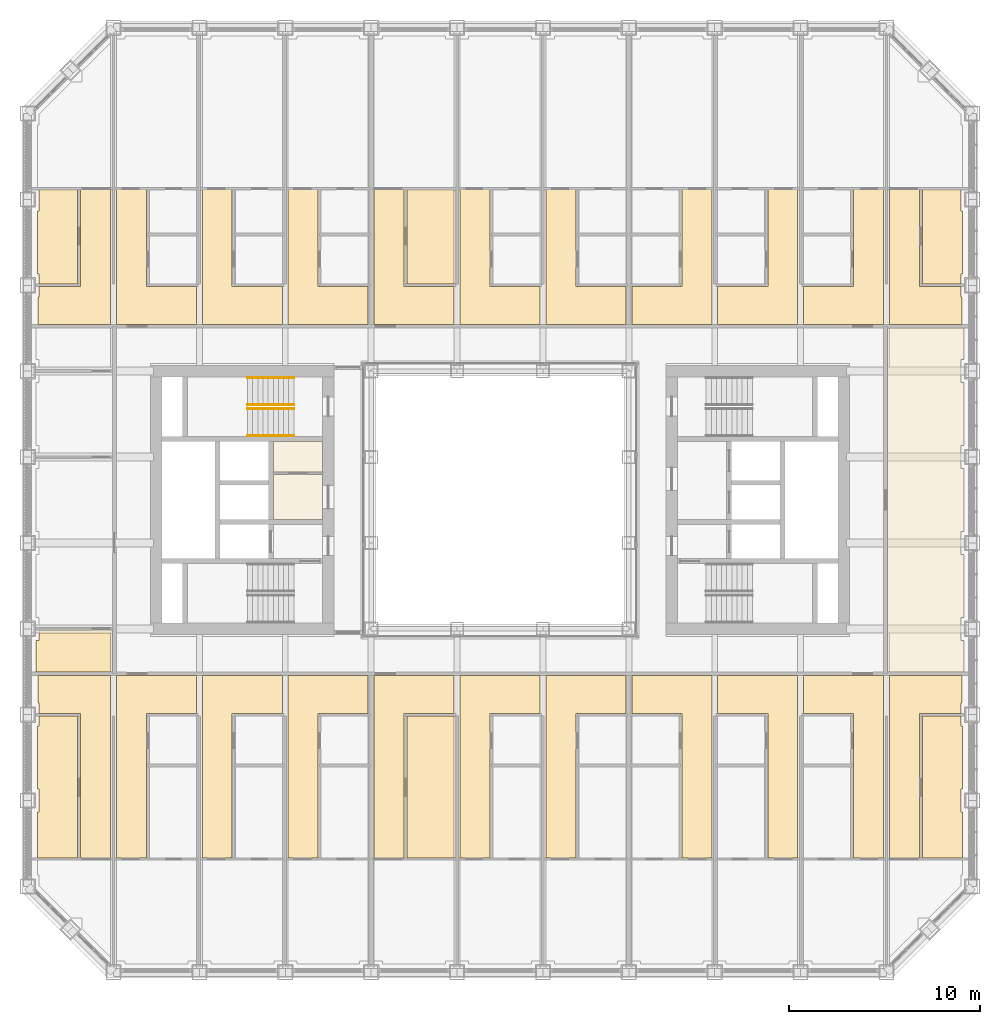
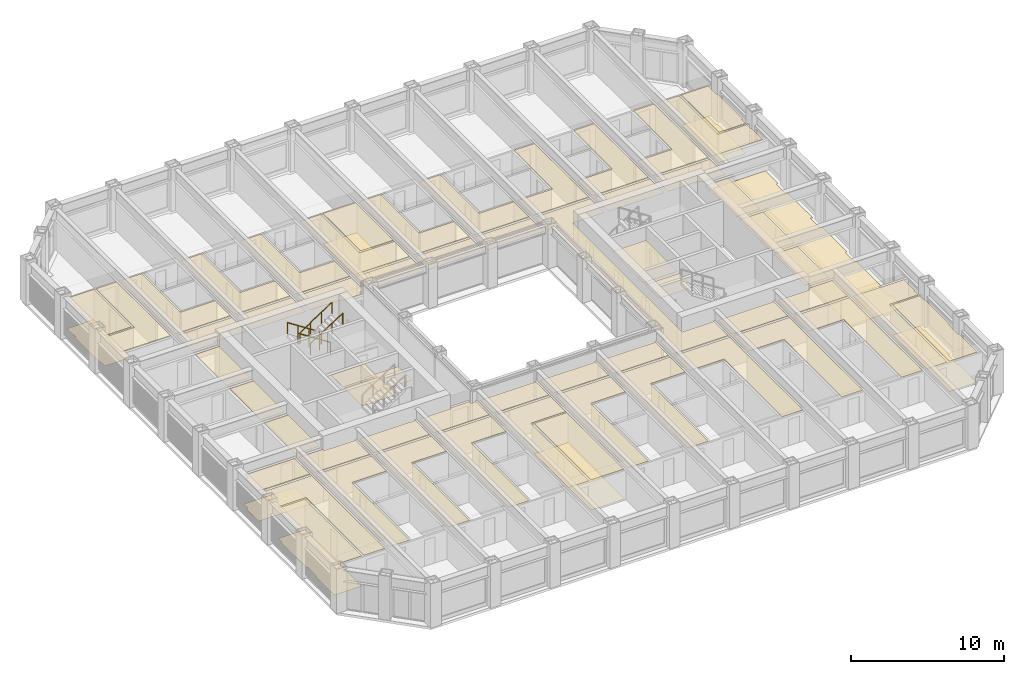
# One storey, part 18 of 21: 4 railings, 3 coverings.
"""IFC4 building model written with IfcOpenShell, lengths in metres."""

from ifc_helpers import new_model, si_unit, direction, frame, origin, origin_2d, place, context, subcontext, project, spatial, line, indexed_curve, circle, outline, extrude, material, layer, layer_set, type_object, element, save


model = new_model("IFC4")

# Units and contexts
model_context = context("Model", 3, precision=1e-05, world=origin(), true_north=direction((0.0, 1.0)))
body_context = subcontext(model_context, "Body", "Model", "MODEL_VIEW")
ifc_project = project(units=[si_unit("LENGTHUNIT", "METRE"), si_unit("AREAUNIT", "SQUARE_METRE"), si_unit("VOLUMEUNIT", "CUBIC_METRE"), si_unit("PLANEANGLEUNIT", "RADIAN"), si_unit("MASSUNIT", "GRAM", prefix="KILO")], contexts=[model_context])

# Site, building, storey
site_placement = place(None, origin())
site = spatial("IfcSite", under=ifc_project, at=site_placement, CompositionType="ELEMENT")
building_placement = place(site_placement, origin())
building = spatial("IfcBuilding", under=site, at=building_placement, Name="Msasa Ring Tower", CompositionType="ELEMENT")
storey_placement = place(building_placement, frame((0.0, 0.0, 96.5)))
storey = spatial("IfcBuildingStorey", under=building, at=storey_placement, Name="L25", CompositionType="ELEMENT", Elevation=96.5)

# Coverings
ifc_material_1 = material(Name="Gypsum plasterboard on a steel suspension grid", Category="steel")
ifc_layer_1 = layer(ifc_material_1, 0.014892578125)
ifc_layer_set_1 = layer_set([ifc_layer_1], Name="C1 SUSPENDED PLASTERBOARD CEILING 15")
covering_type_1 = type_object("IfcCoveringType", Name="C1 SUSPENDED PLASTERBOARD CEILING 15", PredefinedType="CEILING", material=ifc_layer_set_1)
covering_1_placement = place(storey_placement, frame((0.0, 0.0, 2.39990234375)))
element("IfcCovering", 1, at=covering_1_placement, inside=storey, type_object=covering_type_1, Name="Suspended Plasterboard Ceiling 15 circulation L25", PredefinedType="CEILING", context=body_context, shape_type="SweptSolid", body=[
    extrude(outline(indexed_curve([(-21.969482421875, -18.757080078125), (-21.969482421875, -11.18701171875), (-24.1494140625, -11.18701171875), (-24.1494140625, -10.6494140625), (-24.199462890625, -10.6494140625), (-24.199462890625, -9.200439453125), (-20.404296875, -9.200439453125), (-20.404296875, -18.757080078125)], segments=[line(1, 2, 3, 4, 5, 6, 7, 8, 1)], self_intersect=False)), origin(), (0.0, 0.0, 1.0), 0.01513671875),
    extrude(outline(indexed_curve([(-24.199462890625, 9.200439453125), (-24.199462890625, 10.6494140625), (-24.1494140625, 10.6494140625), (-24.1494140625, 11.18701171875), (-21.969482421875, 11.18701171875), (-21.969482421875, 16.257080078125), (-20.404296875, 16.257080078125), (-20.404296875, 9.200439453125)], segments=[line(1, 2, 3, 4, 5, 6, 7, 8, 1)], self_intersect=False)), origin(), (0.0, 0.0, 1.0), 0.01513671875),
    extrude(outline(indexed_curve([(-20.099609375, -2.460693359375), (-18.300537109375, -2.460693359375), (-18.300537109375, -6.539306640625), (-20.099609375, -6.539306640625)], segments=[line(1, 2, 3, 4, 1)], self_intersect=False)), origin(), (0.0, 0.0, 1.0), 0.01513671875),
    extrude(outline(indexed_curve([(-20.099609375, 2.039306640625), (-18.300537109375, 2.039306640625), (-18.300537109375, -2.039306640625), (-20.099609375, -2.039306640625)], segments=[line(1, 2, 3, 4, 1)], self_intersect=False)), origin(), (0.0, 0.0, 1.0), 0.01513671875),
    extrude(outline(indexed_curve([(-20.099609375, 6.539306640625), (-18.300537109375, 6.539306640625), (-18.300537109375, 2.460693359375), (-20.099609375, 2.460693359375)], segments=[line(1, 2, 3, 4, 1)], self_intersect=False)), origin(), (0.0, 0.0, 1.0), 0.01513671875),
    extrude(outline(indexed_curve([(-18.530517578125, -11.18701171875), (-18.530517578125, -18.757080078125), (-20.095703125, -18.757080078125), (-20.095703125, -9.200439453125), (-15.904296875, -9.200439453125), (-15.904296875, -11.18701171875)], segments=[line(1, 2, 3, 4, 5, 6, 1)], self_intersect=False)), origin(), (0.0, 0.0, 1.0), 0.01513671875),
    extrude(outline(indexed_curve([(-20.095703125, -8.99951171875), (-20.095703125, -6.960693359375), (-18.300537109375, -6.960693359375), (-18.300537109375, -7.150390625), (-15.904296875, -7.150390625), (-15.904296875, -8.99951171875)], segments=[line(1, 2, 3, 4, 5, 6, 1)], self_intersect=False)), origin(), (0.0, 0.0, 1.0), 0.01513671875),
    extrude(outline(indexed_curve([(-15.904296875, 8.99951171875), (-15.904296875, 7.150390625), (-18.300537109375, 7.150390625), (-18.300537109375, 6.960693359375), (-20.095703125, 6.960693359375), (-20.095703125, 8.99951171875)], segments=[line(1, 2, 3, 4, 5, 6, 1)], self_intersect=False)), origin(), (0.0, 0.0, 1.0), 0.01513671875),
    extrude(outline(indexed_curve([(-18.530517578125, 16.257080078125), (-18.530517578125, 11.18701171875), (-15.904296875, 11.18701171875), (-15.904296875, 9.200439453125), (-20.095703125, 9.200439453125), (-20.095703125, 16.257080078125)], segments=[line(1, 2, 3, 4, 5, 6, 1)], self_intersect=False)), origin(), (0.0, 0.0, 1.0), 0.01513671875),
    extrude(outline(indexed_curve([(-14.030517578125, -11.18701171875), (-14.030517578125, -18.757080078125), (-15.595703125, -18.757080078125), (-15.595703125, -9.200439453125), (-11.404296875, -9.200439453125), (-11.404296875, -11.18701171875)], segments=[line(1, 2, 3, 4, 5, 6, 1)], self_intersect=False)), origin(), (0.0, 0.0, 1.0), 0.01513671875),
    extrude(outline(indexed_curve([(-15.595703125, -8.99951171875), (-15.595703125, -7.150390625), (-11.404296875, -7.150390625), (-11.404296875, -8.99951171875)], segments=[line(1, 2, 3, 4, 1)], self_intersect=False)), origin(), (0.0, 0.0, 1.0), 0.01513671875),
    extrude(outline(indexed_curve([(-11.404296875, 8.99951171875), (-11.404296875, 7.150390625), (-15.595703125, 7.150390625), (-15.595703125, 8.99951171875)], segments=[line(1, 2, 3, 4, 1)], self_intersect=False)), origin(), (0.0, 0.0, 1.0), 0.01513671875),
    extrude(outline(indexed_curve([(-14.030517578125, 16.257080078125), (-14.030517578125, 11.18701171875), (-11.404296875, 11.18701171875), (-11.404296875, 9.200439453125), (-15.595703125, 9.200439453125), (-15.595703125, 16.257080078125)], segments=[line(1, 2, 3, 4, 5, 6, 1)], self_intersect=False)), origin(), (0.0, 0.0, 1.0), 0.01513671875),
    extrude(outline(indexed_curve([(-11.87451171875, -1.275390625), (-9.300537109375, -1.275390625), (-9.300537109375, -3.074462890625), (-11.87451171875, -3.074462890625)], segments=[line(1, 2, 3, 4, 1)], self_intersect=False)), origin(), (0.0, 0.0, 1.0), 0.01513671875),
    extrude(outline(indexed_curve([(-6.904296875, -9.200439453125), (-6.904296875, -11.18701171875), (-9.530517578125, -11.18701171875), (-9.530517578125, -18.757080078125), (-11.095703125, -18.757080078125), (-11.095703125, -9.200439453125)], segments=[line(1, 2, 3, 4, 5, 6, 1)], self_intersect=False)), origin(), (0.0, 0.0, 1.0), 0.01513671875),
    extrude(outline(indexed_curve([(-11.095703125, -8.99951171875), (-11.095703125, -7.150390625), (-8.699462890625, -7.150390625), (-8.699462890625, -7.050537109375), (-7.280029296875, -7.050537109375), (-7.275390625, -7.275390625), (-6.904296875, -7.280029296875), (-6.904296875, -8.99951171875)], segments=[line(1, 2, 3, 4, 5, 6, 7, 8, 1)], self_intersect=False)), origin(), (0.0, 0.0, 1.0), 0.01513671875),
    extrude(outline(indexed_curve([(-6.904296875, 8.99951171875), (-6.904296875, 7.280029296875), (-7.275390625, 7.275390625), (-7.280029296875, 7.050537109375), (-8.699462890625, 7.050537109375), (-8.699462890625, 7.150390625), (-11.095703125, 7.150390625), (-11.095703125, 8.99951171875)], segments=[line(1, 2, 3, 4, 5, 6, 7, 8, 1)], self_intersect=False)), origin(), (0.0, 0.0, 1.0), 0.01513671875),
    extrude(outline(indexed_curve([(-9.530517578125, 16.257080078125), (-9.530517578125, 11.18701171875), (-6.904296875, 11.18701171875), (-6.904296875, 9.200439453125), (-11.095703125, 9.200439453125), (-11.095703125, 16.257080078125)], segments=[line(1, 2, 3, 4, 5, 6, 1)], self_intersect=False)), origin(), (0.0, 0.0, 1.0), 0.01513671875),
    extrude(outline(indexed_curve([(-5.030517578125, -11.18701171875), (-5.030517578125, -18.757080078125), (-6.595703125, -18.757080078125), (-6.595703125, -9.200439453125), (-2.404296875, -9.200439453125), (-2.404296875, -11.18701171875)], segments=[line(1, 2, 3, 4, 5, 6, 1)], self_intersect=False)), origin(), (0.0, 0.0, 1.0), 0.01513671875),
    extrude(outline(indexed_curve([(-6.595703125, -8.99951171875), (-6.595703125, -7.280029296875), (-2.404296875, -7.280029296875), (-2.404296875, -8.99951171875)], segments=[line(1, 2, 3, 4, 1)], self_intersect=False)), origin(), (0.0, 0.0, 1.0), 0.01513671875),
    extrude(outline(indexed_curve([(-2.404296875, 8.99951171875), (-2.404296875, 7.280029296875), (-6.595703125, 7.280029296875), (-6.595703125, 8.99951171875)], segments=[line(1, 2, 3, 4, 1)], self_intersect=False)), origin(), (0.0, 0.0, 1.0), 0.01513671875),
    extrude(outline(indexed_curve([(-2.404296875, 11.18701171875), (-2.404296875, 9.200439453125), (-6.595703125, 9.200439453125), (-6.595703125, 16.257080078125), (-5.030517578125, 16.257080078125), (-5.030517578125, 11.18701171875)], segments=[line(1, 2, 3, 4, 5, 6, 1)], self_intersect=False)), origin(), (0.0, 0.0, 1.0), 0.01513671875),
    extrude(outline(indexed_curve([(-0.530517578125, -11.18701171875), (-0.530517578125, -18.757080078125), (-2.095703125, -18.757080078125), (-2.095703125, -9.200439453125), (2.095703125, -9.200439453125), (2.095703125, -11.18701171875)], segments=[line(1, 2, 3, 4, 5, 6, 1)], self_intersect=False)), origin(), (0.0, 0.0, 1.0), 0.01513671875),
    extrude(outline(indexed_curve([(-2.095703125, -8.99951171875), (-2.095703125, -7.280029296875), (2.095703125, -7.280029296875), (2.095703125, -8.99951171875)], segments=[line(1, 2, 3, 4, 1)], self_intersect=False)), origin(), (0.0, 0.0, 1.0), 0.01513671875),
    extrude(outline(indexed_curve([(2.095703125, 8.99951171875), (2.095703125, 7.280029296875), (-2.095703125, 7.280029296875), (-2.095703125, 8.99951171875)], segments=[line(1, 2, 3, 4, 1)], self_intersect=False)), origin(), (0.0, 0.0, 1.0), 0.01513671875),
    extrude(outline(indexed_curve([(-0.530517578125, 16.257080078125), (-0.530517578125, 11.18701171875), (2.095703125, 11.18701171875), (2.095703125, 9.200439453125), (-2.095703125, 9.200439453125), (-2.095703125, 16.257080078125)], segments=[line(1, 2, 3, 4, 5, 6, 1)], self_intersect=False)), origin(), (0.0, 0.0, 1.0), 0.01513671875),
    extrude(outline(indexed_curve([(6.595703125, -9.200439453125), (6.595703125, -11.18701171875), (3.969482421875, -11.18701171875), (3.969482421875, -18.757080078125), (2.404296875, -18.757080078125), (2.404296875, -9.200439453125)], segments=[line(1, 2, 3, 4, 5, 6, 1)], self_intersect=False)), origin(), (0.0, 0.0, 1.0), 0.01513671875),
    extrude(outline(indexed_curve([(2.404296875, -8.99951171875), (2.404296875, -7.280029296875), (6.595703125, -7.280029296875), (6.595703125, -8.99951171875)], segments=[line(1, 2, 3, 4, 1)], self_intersect=False)), origin(), (0.0, 0.0, 1.0), 0.01513671875),
    extrude(outline(indexed_curve([(6.595703125, 8.99951171875), (6.595703125, 7.280029296875), (2.404296875, 7.280029296875), (2.404296875, 8.99951171875)], segments=[line(1, 2, 3, 4, 1)], self_intersect=False)), origin(), (0.0, 0.0, 1.0), 0.01513671875),
    extrude(outline(indexed_curve([(3.969482421875, 16.257080078125), (3.969482421875, 11.18701171875), (6.595703125, 11.18701171875), (6.595703125, 9.200439453125), (2.404296875, 9.200439453125), (2.404296875, 16.257080078125)], segments=[line(1, 2, 3, 4, 5, 6, 1)], self_intersect=False)), origin(), (0.0, 0.0, 1.0), 0.01513671875),
    extrude(outline(indexed_curve([(9.530517578125, -18.757080078125), (9.530517578125, -11.18701171875), (6.904296875, -11.18701171875), (6.904296875, -9.200439453125), (11.095703125, -9.200439453125), (11.095703125, -18.757080078125)], segments=[line(1, 2, 3, 4, 5, 6, 1)], self_intersect=False)), origin(), (0.0, 0.0, 1.0), 0.01513671875),
    extrude(outline(indexed_curve([(6.904296875, -8.99951171875), (6.904296875, -7.280029296875), (7.275390625, -7.275390625), (7.280517578125, -7.23046875), (7.280517578125, 7.23046875), (7.275390625, 7.275390625), (6.904296875, 7.280029296875), (6.904296875, 8.99951171875), (11.095703125, 8.99951171875), (11.095703125, 7.150390625), (8.699462890625, 7.150390625), (8.699462890625, -7.150390625), (11.095703125, -7.150390625), (11.095703125, -8.99951171875)], segments=[line(1, 2, 3, 4, 5, 6, 7, 8, 9, 10, 11, 12, 13, 14, 1)], self_intersect=False)), origin(), (0.0, 0.0, 1.0), 0.01513671875),
    extrude(outline(indexed_curve([(6.904296875, 9.200439453125), (6.904296875, 11.18701171875), (9.530517578125, 11.18701171875), (9.530517578125, 16.257080078125), (11.095703125, 16.257080078125), (11.095703125, 9.200439453125)], segments=[line(1, 2, 3, 4, 5, 6, 1)], self_intersect=False)), origin(), (0.0, 0.0, 1.0), 0.01513671875),
    extrude(outline(indexed_curve([(9.300537109375, -1.275390625), (11.87451171875, -1.275390625), (11.87451171875, -3.074462890625), (9.300537109375, -3.074462890625)], segments=[line(1, 2, 3, 4, 1)], self_intersect=False)), origin(), (0.0, 0.0, 1.0), 0.01513671875),
    extrude(outline(indexed_curve([(9.300537109375, -1.0244140625), (9.300537109375, 3.074462890625), (11.87451171875, 3.074462890625), (11.87451171875, -1.0244140625)], segments=[line(1, 2, 3, 4, 1)], self_intersect=False)), origin(), (0.0, 0.0, 1.0), 0.01513671875),
    extrude(outline(indexed_curve([(14.030517578125, -18.757080078125), (14.030517578125, -11.18701171875), (11.404296875, -11.18701171875), (11.404296875, -9.200439453125), (15.595703125, -9.200439453125), (15.595703125, -18.757080078125)], segments=[line(1, 2, 3, 4, 5, 6, 1)], self_intersect=False)), origin(), (0.0, 0.0, 1.0), 0.01513671875),
    extrude(outline(indexed_curve([(11.404296875, -8.99951171875), (11.404296875, -7.150390625), (15.595703125, -7.150390625), (15.595703125, -8.99951171875)], segments=[line(1, 2, 3, 4, 1)], self_intersect=False)), origin(), (0.0, 0.0, 1.0), 0.01513671875),
    extrude(outline(indexed_curve([(15.595703125, 8.99951171875), (15.595703125, 7.150390625), (11.404296875, 7.150390625), (11.404296875, 8.99951171875)], segments=[line(1, 2, 3, 4, 1)], self_intersect=False)), origin(), (0.0, 0.0, 1.0), 0.01513671875),
    extrude(outline(indexed_curve([(14.030517578125, 16.257080078125), (15.595703125, 16.257080078125), (15.595703125, 9.200439453125), (11.404296875, 9.200439453125), (11.404296875, 11.18701171875), (14.030517578125, 11.18701171875)], segments=[line(1, 2, 3, 4, 5, 6, 1)], self_intersect=False)), origin(), (0.0, 0.0, 1.0), 0.01513671875),
    extrude(outline(indexed_curve([(18.530517578125, -18.757080078125), (18.530517578125, -11.18701171875), (15.904296875, -11.18701171875), (15.904296875, -9.200439453125), (20.095703125, -9.200439453125), (20.095703125, -18.757080078125)], segments=[line(1, 2, 3, 4, 5, 6, 1)], self_intersect=False)), origin(), (0.0, 0.0, 1.0), 0.01513671875),
    extrude(outline(indexed_curve([(15.904296875, -8.99951171875), (15.904296875, -7.150390625), (18.300537109375, -7.150390625), (18.300537109375, -6.960693359375), (20.095703125, -6.960693359375), (20.095703125, -8.99951171875)], segments=[line(1, 2, 3, 4, 5, 6, 1)], self_intersect=False)), origin(), (0.0, 0.0, 1.0), 0.01513671875),
    extrude(outline(indexed_curve([(20.095703125, 8.99951171875), (20.095703125, 6.960693359375), (18.300537109375, 6.960693359375), (18.300537109375, 7.150390625), (15.904296875, 7.150390625), (15.904296875, 8.99951171875)], segments=[line(1, 2, 3, 4, 5, 6, 1)], self_intersect=False)), origin(), (0.0, 0.0, 1.0), 0.01513671875),
    extrude(outline(indexed_curve([(18.530517578125, 11.18701171875), (18.530517578125, 16.257080078125), (20.095703125, 16.257080078125), (20.095703125, 9.200439453125), (15.904296875, 9.200439453125), (15.904296875, 11.18701171875)], segments=[line(1, 2, 3, 4, 5, 6, 1)], self_intersect=False)), origin(), (0.0, 0.0, 1.0), 0.01513671875),
    extrude(outline(indexed_curve([(20.099609375, -6.539306640625), (18.300537109375, -6.539306640625), (18.300537109375, -2.460693359375), (20.099609375, -2.460693359375)], segments=[line(1, 2, 3, 4, 1)], self_intersect=False)), origin(), (0.0, 0.0, 1.0), 0.01513671875),
    extrude(outline(indexed_curve([(20.099609375, -2.039306640625), (18.300537109375, -2.039306640625), (18.300537109375, 2.039306640625), (20.099609375, 2.039306640625)], segments=[line(1, 2, 3, 4, 1)], self_intersect=False)), origin(), (0.0, 0.0, 1.0), 0.01513671875),
    extrude(outline(indexed_curve([(20.099609375, 2.460693359375), (18.300537109375, 2.460693359375), (18.300537109375, 6.539306640625), (20.099609375, 6.539306640625)], segments=[line(1, 2, 3, 4, 1)], self_intersect=False)), origin(), (0.0, 0.0, 1.0), 0.01513671875),
    extrude(outline(indexed_curve([(24.199462890625, -9.200439453125), (24.199462890625, -10.6494140625), (24.1494140625, -10.6494140625), (24.1494140625, -11.18701171875), (21.969482421875, -11.18701171875), (21.969482421875, -18.757080078125), (20.404296875, -18.757080078125), (20.404296875, -9.200439453125)], segments=[line(1, 2, 3, 4, 5, 6, 7, 8, 1)], self_intersect=False)), origin(), (0.0, 0.0, 1.0), 0.01513671875),
    extrude(outline(indexed_curve([(21.969482421875, 16.257080078125), (21.969482421875, 11.18701171875), (24.1494140625, 11.18701171875), (24.1494140625, 10.6494140625), (24.199462890625, 10.6494140625), (24.199462890625, 9.200439453125), (20.404296875, 9.200439453125), (20.404296875, 16.257080078125)], segments=[line(1, 2, 3, 4, 5, 6, 7, 8, 1)], self_intersect=False)), origin(), (0.0, 0.0, 1.0), 0.01513671875),
])
ifc_material_2 = material(Name="Perforated aluminium ceiling pans on a steel grid", Category="steel")
ifc_layer_2 = layer(ifc_material_2, 0.02490234375)
ifc_layer_set_2 = layer_set([ifc_layer_2], Name="C4 PERFORATED METAL PAN CEILING 25")
covering_type_2 = type_object("IfcCoveringType", Name="C4 PERFORATED METAL PAN CEILING 25", PredefinedType="CEILING", material=ifc_layer_set_2)
covering_2_placement = place(storey_placement, frame((0.0, 0.0, 2.39990234375)))
element("IfcCovering", 2, at=covering_2_placement, inside=storey, type_object=covering_type_2, Name="Perforated Metal Pan Ceiling 25 L25", PredefinedType="CEILING", context=body_context, shape_type="SweptSolid", body=[
    extrude(outline(indexed_curve([(-24.299560546875, -8.99951171875), (-24.299560546875, -7.3505859375), (-24.1494140625, -7.3505859375), (-24.1494140625, -6.960693359375), (-20.404296875, -6.960693359375), (-20.404296875, -8.99951171875)], segments=[line(1, 2, 3, 4, 5, 6, 1)], self_intersect=False)), origin(), (0.0, 0.0, 1.0), 0.025146484375),
    extrude(outline(indexed_curve([(-22.130615234375, -18.757080078125), (-24.23193359375, -18.757080078125), (-24.23193359375, -16.3505859375), (-24.1494140625, -16.3505859375), (-24.1494140625, -15.1494140625), (-24.23193359375, -15.1494140625), (-24.23193359375, -11.8505859375), (-24.1494140625, -11.8505859375), (-24.1494140625, -11.318115234375), (-22.130615234375, -11.318115234375)], segments=[line(1, 2, 3, 4, 5, 6, 7, 8, 9, 10, 1)], self_intersect=False)), origin(), (0.0, 0.0, 1.0), 0.025146484375),
    extrude(outline(indexed_curve([(-24.1494140625, 11.318115234375), (-24.1494140625, 11.8505859375), (-24.23193359375, 11.8505859375), (-24.23193359375, 15.1494140625), (-24.1494140625, 15.1494140625), (-24.1494140625, 16.257080078125), (-22.130615234375, 16.257080078125), (-22.130615234375, 11.318115234375)], segments=[line(1, 2, 3, 4, 5, 6, 7, 8, 1)], self_intersect=False)), origin(), (0.0, 0.0, 1.0), 0.025146484375),
    extrude(outline(indexed_curve([(-4.869384765625, -18.757080078125), (-4.869384765625, -11.318115234375), (-2.404296875, -11.318115234375), (-2.404296875, -18.757080078125)], segments=[line(1, 2, 3, 4, 1)], self_intersect=False)), origin(), (0.0, 0.0, 1.0), 0.025146484375),
    extrude(outline(indexed_curve([(-4.869384765625, 11.318115234375), (-4.869384765625, 16.257080078125), (-2.404296875, 16.257080078125), (-2.404296875, 11.318115234375)], segments=[line(1, 2, 3, 4, 1)], self_intersect=False)), origin(), (0.0, 0.0, 1.0), 0.025146484375),
    extrude(outline(indexed_curve([(22.130615234375, -18.757080078125), (22.130615234375, -11.318115234375), (24.1494140625, -11.318115234375), (24.1494140625, -11.8505859375), (24.23193359375, -11.8505859375), (24.23193359375, -15.1494140625), (24.1494140625, -15.1494140625), (24.1494140625, -16.3505859375), (24.23193359375, -16.3505859375), (24.23193359375, -18.757080078125)], segments=[line(1, 2, 3, 4, 5, 6, 7, 8, 9, 10, 1)], self_intersect=False)), origin(), (0.0, 0.0, 1.0), 0.025146484375),
    extrude(outline(indexed_curve([(22.130615234375, 11.318115234375), (22.130615234375, 16.257080078125), (24.1494140625, 16.257080078125), (24.1494140625, 15.1494140625), (24.23193359375, 15.1494140625), (24.23193359375, 11.8505859375), (24.1494140625, 11.8505859375), (24.1494140625, 11.318115234375)], segments=[line(1, 2, 3, 4, 5, 6, 7, 8, 1)], self_intersect=False)), origin(), (0.0, 0.0, 1.0), 0.025146484375),
])
ifc_material_3 = material(Name="Welded vinyl safety sheet flooring", Category="vinyl")
ifc_layer_3 = layer(ifc_material_3, 0.0029296875)
ifc_layer_set_3 = layer_set([ifc_layer_3], Name="F5 RESILIENT SHEET FLOORING 3")
covering_type_3 = type_object("IfcCoveringType", Name="F5 RESILIENT SHEET FLOORING 3", PredefinedType="FLOORING", material=ifc_layer_set_3)
covering_3_placement = place(storey_placement, origin())
element("IfcCovering", 3, at=covering_3_placement, inside=storey, type_object=covering_type_3, Name="Resilient Sheet Flooring 3 L25", PredefinedType="FLOORING", context=body_context, shape_type="SweptSolid", body=[
    extrude(outline(indexed_curve([(-24.299560546875, -8.99951171875), (-24.299560546875, -7.3505859375), (-24.1494140625, -7.3505859375), (-24.1494140625, -6.805419921875), (-20.300537109375, -6.805419921875), (-20.300537109375, -8.99951171875)], segments=[line(1, 2, 3, 4, 5, 6, 1)], self_intersect=False)), origin(), (0.0, 0.0, 1.0), 0.0029296875),
    extrude(outline(indexed_curve([(-24.23193359375, -16.3505859375), (-24.1494140625, -16.3505859375), (-24.1494140625, -15.1494140625), (-24.23193359375, -15.1494140625), (-24.23193359375, -11.8505859375), (-24.1494140625, -11.8505859375), (-24.1494140625, -11.318115234375), (-22.130615234375, -11.318115234375), (-22.130615234375, -18.74951171875), (-24.23193359375, -18.74951171875)], segments=[line(1, 2, 3, 4, 5, 6, 7, 8, 9, 10, 1)], self_intersect=False)), origin(), (0.0, 0.0, 1.0), 0.0029296875),
    extrude(outline(indexed_curve([(-24.23193359375, 15.1494140625), (-24.1494140625, 15.1494140625), (-24.1494140625, 16.24951171875), (-22.130615234375, 16.24951171875), (-22.130615234375, 11.318115234375), (-24.1494140625, 11.318115234375), (-24.1494140625, 11.8505859375), (-24.23193359375, 11.8505859375)], segments=[line(1, 2, 3, 4, 5, 6, 7, 8, 1)], self_intersect=False)), origin(), (0.0, 0.0, 1.0), 0.0029296875),
    extrude(outline(indexed_curve([(-11.87451171875, 1.344482421875), (-9.300537109375, 1.344482421875), (-9.300537109375, -1.0244140625), (-11.87451171875, -1.0244140625)], segments=[line(1, 2, 3, 4, 1)], self_intersect=False)), origin(), (0.0, 0.0, 1.0), 0.0029296875),
    extrude(outline(indexed_curve([(-11.87451171875, 3.074462890625), (-9.300537109375, 3.074462890625), (-9.300537109375, 1.45556640625), (-11.87451171875, 1.45556640625)], segments=[line(1, 2, 3, 4, 1)], self_intersect=False)), origin(), (0.0, 0.0, 1.0), 0.0029296875),
    extrude(outline(indexed_curve([(-4.869384765625, -11.318115234375), (-2.318115234375, -11.318115234375), (-2.318115234375, -18.74951171875), (-4.869384765625, -18.74951171875)], segments=[line(1, 2, 3, 4, 1)], self_intersect=False)), origin(), (0.0, 0.0, 1.0), 0.0029296875),
    extrude(outline(indexed_curve([(-2.318115234375, 11.318115234375), (-4.869384765625, 11.318115234375), (-4.869384765625, 16.24951171875), (-2.318115234375, 16.24951171875)], segments=[line(1, 2, 3, 4, 1)], self_intersect=False)), origin(), (0.0, 0.0, 1.0), 0.0029296875),
    extrude(outline(indexed_curve([(20.300537109375, 8.99951171875), (24.299560546875, 8.99951171875), (24.299560546875, 7.3505859375), (24.1494140625, 7.3505859375), (24.1494140625, 6.1494140625), (24.299560546875, 6.1494140625), (24.299560546875, 2.8505859375), (24.1494140625, 2.8505859375), (24.1494140625, 1.6494140625), (24.299560546875, 1.6494140625), (24.299560546875, -1.6494140625), (24.1494140625, -1.6494140625), (24.1494140625, -2.8505859375), (24.299560546875, -2.8505859375), (24.299560546875, -6.1494140625), (24.1494140625, -6.1494140625), (24.1494140625, -7.3505859375), (24.299560546875, -7.3505859375), (24.299560546875, -8.99951171875), (20.300537109375, -8.99951171875)], segments=[line(1, 2, 3, 4, 5, 6, 7, 8, 9, 10, 11, 12, 13, 14, 15, 16, 17, 18, 19, 20, 1)], self_intersect=False)), origin(), (0.0, 0.0, 1.0), 0.0029296875),
    extrude(outline(indexed_curve([(22.130615234375, -11.318115234375), (24.1494140625, -11.318115234375), (24.1494140625, -11.8505859375), (24.23193359375, -11.8505859375), (24.23193359375, -15.1494140625), (24.1494140625, -15.1494140625), (24.1494140625, -16.3505859375), (24.23193359375, -16.3505859375), (24.23193359375, -18.74951171875), (22.130615234375, -18.74951171875)], segments=[line(1, 2, 3, 4, 5, 6, 7, 8, 9, 10, 1)], self_intersect=False)), origin(), (0.0, 0.0, 1.0), 0.0029296875),
    extrude(outline(indexed_curve([(24.23193359375, 11.8505859375), (24.1494140625, 11.8505859375), (24.1494140625, 11.318115234375), (22.130615234375, 11.318115234375), (22.130615234375, 16.24951171875), (24.1494140625, 16.24951171875), (24.1494140625, 15.1494140625), (24.23193359375, 15.1494140625)], segments=[line(1, 2, 3, 4, 5, 6, 7, 8, 1)], self_intersect=False)), origin(), (0.0, 0.0, 1.0), 0.0029296875),
])

# Railings
ifc_material_4 = material(Name="Stainless steel", Category="steel")
railing_type = type_object("IfcRailingType", Name="HR1 HANDRAIL 900", PredefinedType="HANDRAIL", material=ifc_material_4)
for number, where, name in (
    (4, (-10.800048828125, 5.0, 0.175048828125), "Handrail stair SWB L25 1"),
    (5, (-10.800048828125, 6.39990234375, 0.175048828125), "Handrail stair SWB L25 2"),
):
    element("IfcRailing", number, at=place(storey_placement, frame(where)), inside=storey, type_object=railing_type, Name=name, PredefinedType="HANDRAIL", context=body_context, shape_type="SweptSolid", body=[
        extrude(circle(Radius=0.02392578125, at=origin_2d()), frame((0.0, 0.0, 0.8759765625), z_axis=(-0.839153699163, 0.0, 0.543894354798), x_axis=(0.0, -1.0, 0.0)), (0.0, 0.0, 1.0), 2.895751953125),
        extrude(circle(Radius=0.02099609375, at=origin_2d()), origin(), (0.0, 0.0, 1.0), 0.851806640625),
        extrude(circle(Radius=0.02099609375, at=origin_2d()), frame((-0.81005859375, 0.0, 0.52490234375)), (0.0, 0.0, 1.0), 0.851806640625),
        extrude(circle(Radius=0.02099609375, at=origin_2d()), frame((-1.619873046875, 0.0, 1.050048828125)), (0.0, 0.0, 1.0), 0.851806640625),
        extrude(circle(Radius=0.02099609375, at=origin_2d()), frame((-2.429931640625, 0.0, 1.574951171875)), (0.0, 0.0, 1.0), 0.851806640625),
    ])
for number, where, name in (
    (6, (-13.22998046875, 3.375, 1.925048828125), "Handrail stair SWB L25 3"),
    (7, (-13.22998046875, 4.77490234375, 1.925048828125), "Handrail stair SWB L25 4"),
):
    element("IfcRailing", number, at=place(storey_placement, frame(where)), inside=storey, type_object=railing_type, Name=name, PredefinedType="HANDRAIL", context=body_context, shape_type="SweptSolid", body=[
        extrude(circle(Radius=0.02392578125, at=origin_2d()), frame((0.0, 0.0, 0.8759765625), z_axis=(0.839153699163, 0.0, 0.543894354798), x_axis=(0.0, 1.0, 0.0)), (0.0, 0.0, 1.0), 2.895751953125),
        extrude(circle(Radius=0.02099609375, at=origin_2d()), origin(), (0.0, 0.0, 1.0), 0.851806640625),
        extrude(circle(Radius=0.02099609375, at=origin_2d()), frame((0.81005859375, 0.0, 0.52490234375)), (0.0, 0.0, 1.0), 0.851806640625),
        extrude(circle(Radius=0.02099609375, at=origin_2d()), frame((1.619873046875, 0.0, 1.050048828125)), (0.0, 0.0, 1.0), 0.851806640625),
        extrude(circle(Radius=0.02099609375, at=origin_2d()), frame((2.429931640625, 0.0, 1.574951171875)), (0.0, 0.0, 1.0), 0.851806640625),
    ])

save(model, "model.ifc")
